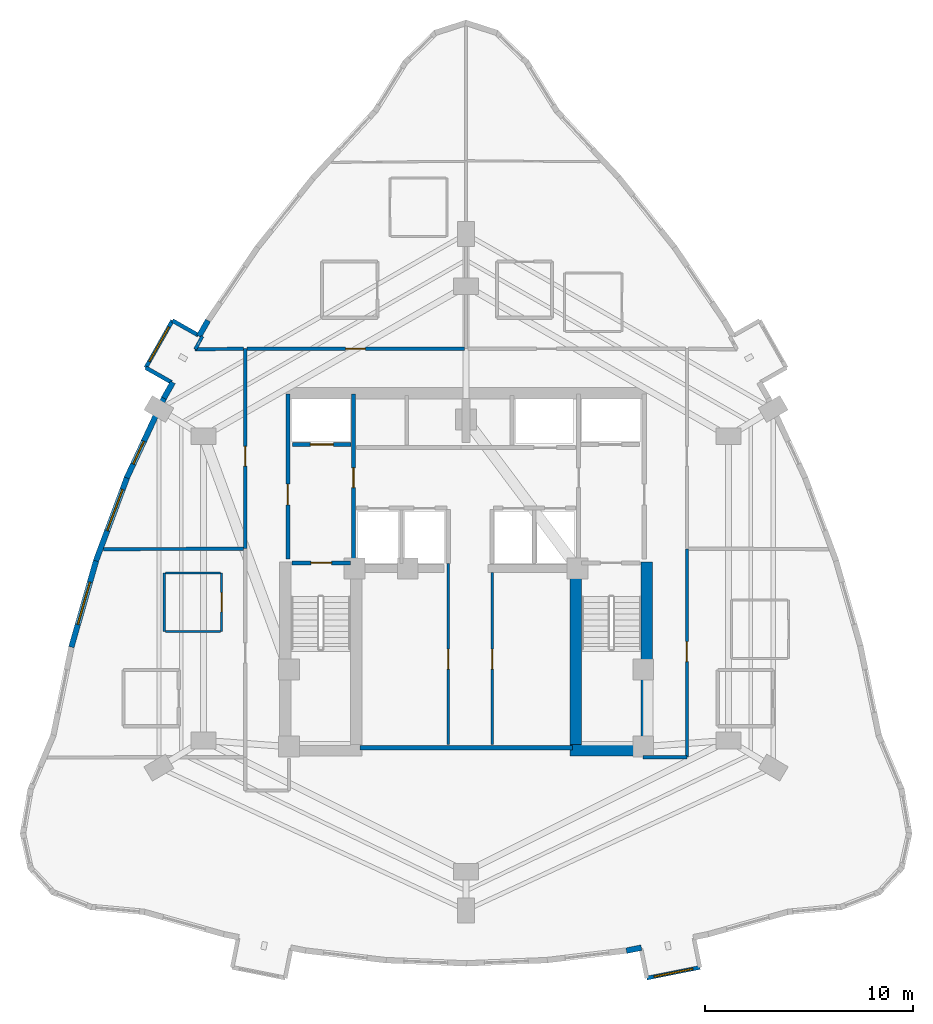
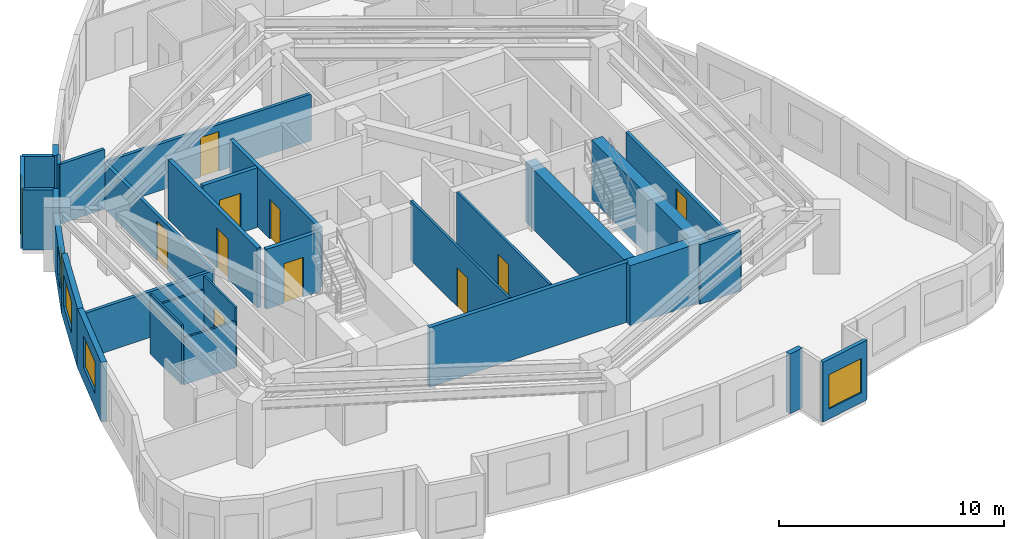
# One storey, part 6 of 10: 31 walls, 10 doors, 5 windows, 15 openings.
"""IFC4 building model written with IfcOpenShell, lengths in metres."""

from ifc_helpers import new_model, si_unit, direction, frame, frame_2d, origin, place, context, subcontext, project, spatial, rectangle, extrude, material, layer, layer_set, type_object, element, fill, save


model = new_model("IFC4")

# Units and contexts
model_context = context("Model", 3, precision=1e-05, world=origin(), true_north=direction((0.0, 1.0)))
body_context = subcontext(model_context, "Body", "Model", "MODEL_VIEW")
ifc_project = project(units=[si_unit("LENGTHUNIT", "METRE"), si_unit("AREAUNIT", "SQUARE_METRE"), si_unit("VOLUMEUNIT", "CUBIC_METRE"), si_unit("PLANEANGLEUNIT", "RADIAN"), si_unit("MASSUNIT", "GRAM", prefix="KILO")], contexts=[model_context])

# Site, building, storey
site_placement = place(None, origin())
site = spatial("IfcSite", under=ifc_project, at=site_placement, CompositionType="ELEMENT")
building_placement = place(site_placement, origin())
building = spatial("IfcBuilding", under=site, at=building_placement, Name="Miruveldt Soraemaru", CompositionType="ELEMENT")
storey_placement = place(building_placement, frame((0.0, 0.0, 163.39990234375)))
storey = spatial("IfcBuildingStorey", under=building, at=storey_placement, Name="L45", CompositionType="ELEMENT", Elevation=163.39990234375)

# Walls
ifc_material_1 = material(Name="White powder-coated aluminium EN AW-6060 T6", Category="aluminium")
ifc_layer_1 = layer(ifc_material_1, 0.18994140625, Name="White powder-coated aluminium EN AW-6060 T6", Category="aluminium")
ifc_layer_set_1 = layer_set([ifc_layer_1], Name="White powder-coated aluminium EN AW-6060 T6")
wall_type_1 = type_object("IfcWallType", Name="WALL-BAY-ALU190", PredefinedType="SOLIDWALL", material=ifc_layer_set_1)
for number, where, z_axis, x_axis, name in (
    (1, (31.150634765625, 55.244140625, 0.0), (0.0, 0.0, 1.0), (-0.869799191674, 0.493405883794, 0.0), "L45 Bay Window Side Cheek 1L"),
    (2, (28.62841796875, 53.685791015625, 0.0), (0.0, 0.0, 1.0), (0.869799191674, -0.493405883794, 0.0), "L45 Bay Window Side Cheek 1R"),
):
    element("IfcWall", number, at=place(storey_placement, frame(where, z_axis=z_axis, x_axis=x_axis)), inside=storey, type_object=wall_type_1, Name=name, PredefinedType="SOLIDWALL", context=body_context, shape_type="SweptSolid", body=[
        extrude(rectangle(XDim=1.425048828125, YDim=0.18994140625, at=frame_2d((0.71240234375, 0.0))), origin(), (0.0, 0.0, 1.0), 3.235107421875),
    ])

# Wall, opening, window
wall_1_placement = place(storey_placement, frame((29.9111328125, 55.947265625, 0.0), z_axis=(0.0, 0.0, 1.0), x_axis=(-0.493365555553, -0.869822067203, 0.0)))
wall_1 = element("IfcWall", 3, at=wall_1_placement, inside=storey, type_object=wall_type_1, Name="L45 Bay Window Front Frame 1", PredefinedType="SOLIDWALL", context=body_context, shape_type="SweptSolid", body=[
    extrude(rectangle(XDim=2.599853515625, YDim=0.18994140625, at=frame_2d((1.2998046875, 0.0))), origin(), (0.0, 0.0, 1.0), 3.235107421875),
])
opening_1_placement = place(wall_1_placement, frame((0.35009765625, 0.0, 0.550048828125)))
opening_1 = element("IfcOpeningElement", 4, at=opening_1_placement, cuts=wall_1, Name="Opening WN-6", PredefinedType="OPENING", context=body_context, shape_type="SweptSolid", body=[
    extrude(rectangle(XDim=1.89990234375, YDim=1.85009765625, at=frame_2d((0.949951171875, 0.925048828125))), frame((0.0, 0.10498046875, 0.0), z_axis=(0.0, -1.0, 0.0), x_axis=(1.0, 0.0, 0.0)), (0.0, 0.0, 1.0), 0.2099609375),
])
ifc_material_2 = material(Name="Triple low-e insulated glazing", Category="glass")
window_type_1 = type_object("IfcWindowType", Name="WIN-BAYW-1900x1850", PartitioningType="SINGLE_PANEL", PredefinedType="WINDOW", material=ifc_material_2)
window_1_placement = place(opening_1_placement, origin())
window_1 = element("IfcWindow", 5, at=window_1_placement, inside=storey, type_object=window_type_1, Name="L45 Projecting Bay Window 1", OverallHeight=1.85009765625, OverallWidth=1.89990234375, PartitioningType="SINGLE_PANEL", PredefinedType="WINDOW", context=body_context, shape_type="SweptSolid", body=[
    extrude(rectangle(XDim=1.89990234375, YDim=1.85009765625, at=frame_2d((0.949951171875, 0.925048828125))), frame((0.0, 0.030029296875, 0.0), z_axis=(0.0, -1.0, 0.0), x_axis=(1.0, 0.0, 0.0)), (0.0, 0.0, 1.0), 0.06005859375),
])
fill(opening_1, window_1)

wall_2_placement = place(storey_placement, frame((52.6748046875, 24.39599609375, 0.0), z_axis=(0.0, 0.0, 1.0), x_axis=(0.980569838849, 0.196170311564, 0.0)))
wall_2 = element("IfcWall", 6, at=wall_2_placement, inside=storey, type_object=wall_type_1, Name="L45 Bay Window Front Frame 3", PredefinedType="SOLIDWALL", context=body_context, shape_type="SweptSolid", body=[
    extrude(rectangle(XDim=2.599853515625, YDim=0.18994140625, at=frame_2d((1.2998046875, 0.0))), origin(), (0.0, 0.0, 1.0), 3.235107421875),
])
opening_2_placement = place(wall_2_placement, frame((0.35009765625, 0.0, 0.550048828125)))
opening_2 = element("IfcOpeningElement", 7, at=opening_2_placement, cuts=wall_2, Name="Opening WN-6", PredefinedType="OPENING", context=body_context, shape_type="SweptSolid", body=[
    extrude(rectangle(XDim=1.89990234375, YDim=1.85009765625, at=frame_2d((0.949951171875, 0.925048828125))), frame((0.0, 0.10498046875, 0.0), z_axis=(0.0, -1.0, 0.0), x_axis=(1.0, 0.0, 0.0)), (0.0, 0.0, 1.0), 0.2099609375),
])
window_2_placement = place(opening_2_placement, origin())
window_2 = element("IfcWindow", 8, at=window_2_placement, inside=storey, type_object=window_type_1, Name="L45 Projecting Bay Window 3", OverallHeight=1.85009765625, OverallWidth=1.89990234375, PartitioningType="SINGLE_PANEL", PredefinedType="WINDOW", context=body_context, shape_type="SweptSolid", body=[
    extrude(rectangle(XDim=1.89990234375, YDim=1.85009765625, at=frame_2d((0.949951171875, 0.925048828125))), frame((0.0, 0.030029296875, 0.0), z_axis=(0.0, -1.0, 0.0), x_axis=(1.0, 0.0, 0.0)), (0.0, 0.0, 1.0), 0.06005859375),
])
fill(opening_2, window_2)

# Walls
ifc_material_3 = material(Name="Concrete C70/85 (70 MPa)", Category="concrete")
ifc_layer_2 = layer(ifc_material_3, 0.550048828125, Name="Concrete C70/85 (70 MPa)", Category="concrete")
ifc_layer_set_2 = layer_set([ifc_layer_2], Name="Concrete C70/85 (70 MPa)")
wall_type_2 = type_object("IfcWallType", Name="WALL-CW-550", PredefinedType="SHEAR", material=ifc_layer_set_2)
wall_3_placement = place(storey_placement, frame((49.0, 35.324951171875, 0.0), z_axis=(0.0, 0.0, 1.0), x_axis=(1.0, 0.0, 0.0)))
element("IfcWall", 9, at=wall_3_placement, inside=storey, type_object=wall_type_2, Name="L45 Central Core Shear Wall S2", PredefinedType="SHEAR", context=body_context, shape_type="SweptSolid", body=[
    extrude(rectangle(XDim=3.949951171875, YDim=0.550048828125, at=frame_2d((1.97509765625, 0.0))), origin(), (0.0, 0.0, 1.0), 3.235107421875),
])
wall_4_placement = place(storey_placement, frame((52.675048828125, 35.050048828125, 0.0), z_axis=(0.0, 0.0, 1.0), x_axis=(0.0, 1.0, 0.0)))
element("IfcWall", 10, at=wall_4_placement, inside=storey, type_object=wall_type_2, Name="L45 Central Core Shear Wall E1", PredefinedType="SHEAR", context=body_context, shape_type="SweptSolid", body=[
    extrude(rectangle(XDim=9.300048828125, YDim=0.550048828125, at=frame_2d((4.64990234375, 0.0))), origin(), (0.0, 0.0, 1.0), 3.235107421875),
])
wall_5_placement = place(storey_placement, frame((49.27490234375, 35.39990234375, 0.0), z_axis=(0.0, 0.0, 1.0), x_axis=(0.0, 1.0, 0.0)))
element("IfcWall", 11, at=wall_5_placement, inside=storey, type_object=wall_type_2, Name="L45 Central Core Shear Wall SE-INT", PredefinedType="SHEAR", context=body_context, shape_type="SweptSolid", body=[
    extrude(rectangle(XDim=8.9501953125, YDim=0.550048828125, at=frame_2d((4.47509765625, 0.0))), origin(), (0.0, 0.0, 1.0), 3.235107421875),
])
ifc_material_4 = material(Name="Precast concrete C45/55 (45 MPa)", Category="concrete")
ifc_layer_3 = layer(ifc_material_4, 0.27001953125, Name="Precast concrete C45/55 (45 MPa)", Category="concrete")
ifc_layer_set_3 = layer_set([ifc_layer_3], Name="Precast concrete C45/55 (45 MPa)")
wall_type_3 = type_object("IfcWallType", Name="WALL-EXT-PC270", PredefinedType="SOLIDWALL", material=ifc_layer_set_3)
for number, where, z_axis, x_axis, name in (
    (12, (31.615234375, 55.951904296875, 0.0), (0.0, 0.0, 1.0), (-0.493371618473, -0.86981862827, 0.0), "L45 Precast Pier Wall 10A"),
    (13, (29.930419921875, 52.981689453125, 0.0), (0.0, 0.0, 1.0), (-0.493371618473, -0.86981862827, 0.0), "L45 Precast Pier Wall 10B"),
):
    element("IfcWall", number, at=place(storey_placement, frame(where, z_axis=z_axis, x_axis=x_axis)), inside=storey, type_object=wall_type_3, Name=name, PredefinedType="SOLIDWALL", context=body_context, shape_type="SweptSolid", body=[
        extrude(rectangle(XDim=0.875, YDim=0.27001953125, at=frame_2d((0.4375, 0.0))), origin(), (0.0, 0.0, 1.0), 3.235107421875),
    ])

# Wall, opening, window
wall_6_placement = place(storey_placement, frame((29.531005859375, 52.282958984375, 0.0), z_axis=(0.0, 0.0, 1.0), x_axis=(-0.422296510574, -0.906457752549, 0.0)))
wall_6 = element("IfcWall", 14, at=wall_6_placement, inside=storey, type_object=wall_type_3, Name="L45 Precast Concrete Facade Wall 11", PredefinedType="SOLIDWALL", context=body_context, shape_type="SweptSolid", body=[
    extrude(rectangle(XDim=4.289794921875, YDim=0.27001953125, at=frame_2d((2.14501953125, 0.0))), origin(), (0.0, 0.0, 1.0), 2.523193359375),
])
opening_3_placement = place(wall_6_placement, frame((2.34912109375, 0.0, 0.780029296875)))
opening_3 = element("IfcOpeningElement", 15, at=opening_3_placement, cuts=wall_6, Name="Opening WN-4", PredefinedType="OPENING", context=body_context, shape_type="SweptSolid", body=[
    extrude(rectangle(XDim=1.199951171875, YDim=1.550048828125, at=frame_2d((0.60009765625, 0.77490234375))), frame((0.0, 0.14501953125, 0.0), z_axis=(0.0, -1.0, 0.0), x_axis=(1.0, 0.0, 0.0)), (0.0, 0.0, 1.0), 0.2900390625),
])
window_type_2 = type_object("IfcWindowType", Name="WIN-PUNCH-1200x1550", PartitioningType="SINGLE_PANEL", PredefinedType="WINDOW", material=ifc_material_2)
window_3_placement = place(opening_3_placement, origin())
window_3 = element("IfcWindow", 16, at=window_3_placement, inside=storey, type_object=window_type_2, Name="L45 Punched Triple-Glazed Window 11.1", OverallHeight=1.550048828125, OverallWidth=1.199951171875, PartitioningType="SINGLE_PANEL", PredefinedType="WINDOW", context=body_context, shape_type="SweptSolid", body=[
    extrude(rectangle(XDim=1.199951171875, YDim=1.550048828125, at=frame_2d((0.60009765625, 0.77490234375))), frame((0.0, 0.030029296875, 0.0), z_axis=(0.0, -1.0, 0.0), x_axis=(1.0, 0.0, 0.0)), (0.0, 0.0, 1.0), 0.06005859375),
])
fill(opening_3, window_3)

wall_7_placement = place(storey_placement, frame((27.74658203125, 48.458984375, 0.0), z_axis=(0.0, 0.0, 1.0), x_axis=(-0.349039876874, -0.937107872313, 0.0)))
wall_7 = element("IfcWall", 17, at=wall_7_placement, inside=storey, type_object=wall_type_3, Name="L45 Precast Concrete Facade Wall 12", PredefinedType="SOLIDWALL", context=body_context, shape_type="SweptSolid", body=[
    extrude(rectangle(XDim=4.31640625, YDim=0.27001953125, at=frame_2d((2.158203125, 0.0))), origin(), (0.0, 0.0, 1.0), 3.235107421875),
])
opening_4_placement = place(wall_7_placement, frame((0.660888671875, 0.0, 0.800048828125)))
opening_4 = element("IfcOpeningElement", 18, at=opening_4_placement, cuts=wall_7, Name="Opening WN-1", PredefinedType="OPENING", context=body_context, shape_type="SweptSolid", body=[
    extrude(rectangle(XDim=2.10009765625, YDim=1.699951171875, at=frame_2d((1.050048828125, 0.85009765625))), frame((0.0, 0.14501953125, 0.0), z_axis=(0.0, -1.0, 0.0), x_axis=(1.0, 0.0, 0.0)), (0.0, 0.0, 1.0), 0.2900390625),
])
window_type_3 = type_object("IfcWindowType", Name="WIN-PUNCH-2100x1700", PartitioningType="SINGLE_PANEL", PredefinedType="WINDOW", material=ifc_material_2)
window_4_placement = place(opening_4_placement, origin())
window_4 = element("IfcWindow", 19, at=window_4_placement, inside=storey, type_object=window_type_3, Name="L45 Punched Triple-Glazed Window 12.1", OverallHeight=1.699951171875, OverallWidth=2.10009765625, PartitioningType="SINGLE_PANEL", PredefinedType="WINDOW", context=body_context, shape_type="SweptSolid", body=[
    extrude(rectangle(XDim=2.10009765625, YDim=1.699951171875, at=frame_2d((1.050048828125, 0.85009765625))), frame((0.0, 0.030029296875, 0.0), z_axis=(0.0, -1.0, 0.0), x_axis=(1.0, 0.0, 0.0)), (0.0, 0.0, 1.0), 0.06005859375),
])
fill(opening_4, window_4)

wall_8_placement = place(storey_placement, frame((26.26171875, 44.480712890625, 0.0), z_axis=(0.0, 0.0, 1.0), x_axis=(-0.274935112835, -0.961462783331, 0.0)))
wall_8 = element("IfcWall", 20, at=wall_8_placement, inside=storey, type_object=wall_type_3, Name="L45 Precast Concrete Facade Wall 13", PredefinedType="SOLIDWALL", context=body_context, shape_type="SweptSolid", body=[
    extrude(rectangle(XDim=4.369873046875, YDim=0.27001953125, at=frame_2d((2.18505859375, 0.0))), origin(), (0.0, 0.0, 1.0), 3.235107421875),
])
opening_5_placement = place(wall_8_placement, frame((1.135009765625, 0.0, 0.800048828125)))
opening_5 = element("IfcOpeningElement", 21, at=opening_5_placement, cuts=wall_8, Name="Opening WN-1", PredefinedType="OPENING", context=body_context, shape_type="SweptSolid", body=[
    extrude(rectangle(XDim=2.10009765625, YDim=1.699951171875, at=frame_2d((1.050048828125, 0.85009765625))), frame((0.0, 0.14501953125, 0.0), z_axis=(0.0, -1.0, 0.0), x_axis=(1.0, 0.0, 0.0)), (0.0, 0.0, 1.0), 0.2900390625),
])
window_5_placement = place(opening_5_placement, origin())
window_5 = element("IfcWindow", 22, at=window_5_placement, inside=storey, type_object=window_type_3, Name="L45 Punched Triple-Glazed Window 13.1", OverallHeight=1.699951171875, OverallWidth=2.10009765625, PartitioningType="SINGLE_PANEL", PredefinedType="WINDOW", context=body_context, shape_type="SweptSolid", body=[
    extrude(rectangle(XDim=2.10009765625, YDim=1.699951171875, at=frame_2d((1.050048828125, 0.85009765625))), frame((0.0, 0.030029296875, 0.0), z_axis=(0.0, -1.0, 0.0), x_axis=(1.0, 0.0, 0.0)), (0.0, 0.0, 1.0), 0.06005859375),
])
fill(opening_5, window_5)

# Wall
wall_9_placement = place(storey_placement, frame((51.693115234375, 25.708984375, 0.0), z_axis=(0.0, 0.0, 1.0), x_axis=(0.980542330577, 0.196307763337, 0.0)))
element("IfcWall", 23, at=wall_9_placement, inside=storey, type_object=wall_type_3, Name="L45 Precast Pier Wall 27A", PredefinedType="SOLIDWALL", context=body_context, shape_type="SweptSolid", body=[
    extrude(rectangle(XDim=0.735107421875, YDim=0.27001953125, at=frame_2d((0.36767578125, 0.0))), origin(), (0.0, 0.0, 1.0), 3.235107421875),
])

# Wall, opening, door
ifc_material_5 = material(Name="Gypsum plasterboard lining", Category="gypsum")
ifc_layer_4 = layer(ifc_material_5, 0.10009765625, Name="Gypsum plasterboard lining", Category="gypsum")
ifc_layer_set_4 = layer_set([ifc_layer_4], Name="Gypsum plasterboard lining")
wall_type_4 = type_object("IfcWallType", Name="WALL-INT-P100", PredefinedType="PARTITIONING", material=ifc_layer_set_4)
wall_10_placement = place(storey_placement, frame((32.26611328125, 41.030029296875, 0.0), z_axis=(0.0, 0.0, 1.0), x_axis=(0.0, 1.0, 0.0)))
wall_10 = element("IfcWall", 24, at=wall_10_placement, inside=storey, type_object=wall_type_4, Name="L45 Partition Wall 38", PredefinedType="PARTITIONING", context=body_context, shape_type="SweptSolid", body=[
    extrude(rectangle(XDim=2.800048828125, YDim=0.10009765625, at=frame_2d((1.39990234375, 0.0))), origin(), (0.0, 0.0, 1.0), 3.235107421875),
])
opening_6_placement = place(wall_10_placement, frame((0.93994140625, 0.0, 0.0)))
opening_6 = element("IfcOpeningElement", 25, at=opening_6_placement, cuts=wall_10, Name="Opening D3A", PredefinedType="OPENING", context=body_context, shape_type="SweptSolid", body=[
    extrude(rectangle(XDim=0.919921875, YDim=2.10009765625, at=frame_2d((0.4599609375, 1.050048828125))), frame((0.0, 0.06005859375, 0.0), z_axis=(0.0, -1.0, 0.0), x_axis=(1.0, 0.0, 0.0)), (0.0, 0.0, 1.0), 0.1201171875),
])
ifc_material_6 = material(Name="Anodised aluminium EN AW-6063 T6", Category="aluminium")
door_type_1 = type_object("IfcDoorType", Name="DOOR-INT-920", OperationType="NOTDEFINED", PredefinedType="DOOR", material=ifc_material_6)
door_1_placement = place(opening_6_placement, origin())
door_1 = element("IfcDoor", 26, at=door_1_placement, inside=storey, type_object=door_type_1, Name="L45 Unit 4504 KIT Door", OperationType="SINGLE_SWING_LEFT", OverallHeight=2.10009765625, OverallWidth=0.919921875, PredefinedType="DOOR", context=body_context, shape_type="SweptSolid", body=[
    extrude(rectangle(XDim=0.919921875, YDim=2.10009765625, at=frame_2d((0.4599609375, 1.050048828125))), frame((0.0, 0.02490234375, 0.0), z_axis=(0.0, -1.0, 0.0), x_axis=(1.0, 0.0, 0.0)), (0.0, 0.0, 1.0), 0.050048828125),
])
fill(opening_6, door_1)

# Walls
wall_11_placement = place(storey_placement, frame((29.51611328125, 43.830078125, 0.0), z_axis=(0.0, 0.0, 1.0), x_axis=(0.0, -1.0, 0.0)))
element("IfcWall", 27, at=wall_11_placement, inside=storey, type_object=wall_type_4, Name="L45 Partition Wall 40", PredefinedType="PARTITIONING", context=body_context, shape_type="SweptSolid", body=[
    extrude(rectangle(XDim=2.800048828125, YDim=0.10009765625, at=frame_2d((1.39990234375, 0.0))), origin(), (0.0, 0.0, 1.0), 3.235107421875),
])
for number, where, z_axis, x_axis, name in (
    (28, (32.216064453125, 43.830078125, 0.0), (0.0, 0.0, 1.0), (-1.0, 0.0, 0.0), "L45 Partition Wall 39"),
    (29, (29.56591796875, 41.030029296875, 0.0), (0.0, 0.0, 1.0), (1.0, 0.0, 0.0), "L45 Partition Wall 41"),
):
    element("IfcWall", number, at=place(storey_placement, frame(where, z_axis=z_axis, x_axis=x_axis)), inside=storey, type_object=wall_type_4, Name=name, PredefinedType="PARTITIONING", context=body_context, shape_type="SweptSolid", body=[
        extrude(rectangle(XDim=2.650146484375, YDim=0.10009765625, at=frame_2d((1.3251953125, 0.0))), origin(), (0.0, 0.0, 1.0), 2.523193359375),
    ])

# Wall, opening, door
ifc_layer_5 = layer(ifc_material_5, 0.1201171875, Name="Gypsum plasterboard lining", Category="gypsum")
ifc_layer_set_5 = layer_set([ifc_layer_5], Name="Gypsum plasterboard lining")
wall_type_5 = type_object("IfcWallType", Name="WALL-INT-P120", PredefinedType="PARTITIONING", material=ifc_layer_set_5)
wall_12_placement = place(storey_placement, frame((43.14990234375, 35.60009765625, 0.0), z_axis=(0.0, 0.0, 1.0), x_axis=(0.0, 1.0, 0.0)))
wall_12 = element("IfcWall", 30, at=wall_12_placement, inside=storey, type_object=wall_type_5, Name="L45 Core Compartment Wall SP-WL", PredefinedType="PARTITIONING", context=body_context, shape_type="SweptSolid", body=[
    extrude(rectangle(XDim=8.699951171875, YDim=0.1201171875, at=frame_2d((4.35009765625, 0.0))), origin(), (0.0, 0.0, 1.0), 3.235107421875),
])
opening_7_placement = place(wall_12_placement, frame((3.625, 0.0, 0.0)))
opening_7 = element("IfcOpeningElement", 31, at=opening_7_placement, cuts=wall_12, Name="Opening D2", PredefinedType="OPENING", context=body_context, shape_type="SweptSolid", body=[
    extrude(rectangle(XDim=0.949951171875, YDim=2.10009765625, at=frame_2d((0.47509765625, 1.050048828125))), frame((0.0, 0.070068359375, 0.0), z_axis=(0.0, -1.0, 0.0), x_axis=(1.0, 0.0, 0.0)), (0.0, 0.0, 1.0), 0.14013671875),
])
door_type_2 = type_object("IfcDoorType", Name="DOOR-INT-950", OperationType="NOTDEFINED", PredefinedType="DOOR", material=ifc_material_6)
door_2_placement = place(opening_7_placement, origin())
door_2 = element("IfcDoor", 32, at=door_2_placement, inside=storey, type_object=door_type_2, Name="L45 Fire Door", OperationType="SINGLE_SWING_LEFT", OverallHeight=2.10009765625, OverallWidth=0.949951171875, PredefinedType="DOOR", context=body_context, shape_type="SweptSolid", body=[
    extrude(rectangle(XDim=0.949951171875, YDim=2.10009765625, at=frame_2d((0.47509765625, 1.050048828125))), frame((0.0, 0.02490234375, 0.0), z_axis=(0.0, -1.0, 0.0), x_axis=(1.0, 0.0, 0.0)), (0.0, 0.0, 1.0), 0.050048828125),
])
fill(opening_7, door_2)

wall_13_placement = place(storey_placement, frame((45.25, 35.60009765625, 0.0), z_axis=(0.0, 0.0, 1.0), x_axis=(0.0, 1.0, 0.0)))
wall_13 = element("IfcWall", 33, at=wall_13_placement, inside=storey, type_object=wall_type_5, Name="L45 Core Compartment Wall SP-EL", PredefinedType="PARTITIONING", context=body_context, shape_type="SweptSolid", body=[
    extrude(rectangle(XDim=8.25, YDim=0.1201171875, at=frame_2d((4.125, 0.0))), origin(), (0.0, 0.0, 1.0), 3.235107421875),
])
opening_8_placement = place(wall_13_placement, frame((3.625, 0.0, 0.0)))
opening_8 = element("IfcOpeningElement", 34, at=opening_8_placement, cuts=wall_13, Name="Opening D2", PredefinedType="OPENING", context=body_context, shape_type="SweptSolid", body=[
    extrude(rectangle(XDim=0.949951171875, YDim=2.10009765625, at=frame_2d((0.47509765625, 1.050048828125))), frame((0.0, 0.070068359375, 0.0), z_axis=(0.0, -1.0, 0.0), x_axis=(1.0, 0.0, 0.0)), (0.0, 0.0, 1.0), 0.14013671875),
])
door_3_placement = place(opening_8_placement, origin())
door_3 = element("IfcDoor", 35, at=door_3_placement, inside=storey, type_object=door_type_2, Name="L45 Fire Door", OperationType="SINGLE_SWING_LEFT", OverallHeight=2.10009765625, OverallWidth=0.949951171875, PredefinedType="DOOR", context=body_context, shape_type="SweptSolid", body=[
    extrude(rectangle(XDim=0.949951171875, YDim=2.10009765625, at=frame_2d((0.47509765625, 1.050048828125))), frame((0.0, 0.02490234375, 0.0), z_axis=(0.0, -1.0, 0.0), x_axis=(1.0, 0.0, 0.0)), (0.0, 0.0, 1.0), 0.050048828125),
])
fill(opening_8, door_3)

ifc_material_7 = material(Name="Concrete C40/50 (40 MPa)", Category="concrete")
ifc_layer_6 = layer(ifc_material_7, 0.159912109375, Name="Concrete C40/50 (40 MPa)", Category="concrete")
ifc_layer_set_6 = layer_set([ifc_layer_6], Name="Concrete C40/50 (40 MPa)")
wall_type_6 = type_object("IfcWallType", Name="WALL-INT-RC160", PredefinedType="SOLIDWALL", material=ifc_layer_set_6)
wall_14_placement = place(storey_placement, frame((43.9169921875, 54.60009765625, 0.0), z_axis=(0.0, 0.0, 1.0), x_axis=(-1.0, 0.0, 0.0)))
wall_14 = element("IfcWall", 36, at=wall_14_placement, inside=storey, type_object=wall_type_6, Name="L45 Partition Wall 1", PredefinedType="SOLIDWALL", context=body_context, shape_type="SweptSolid", body=[
    extrude(rectangle(XDim=10.43701171875, YDim=0.159912109375, at=frame_2d((5.218505859375, 0.0))), origin(), (0.0, 0.0, 1.0), 2.523193359375),
])
opening_9_placement = place(wall_14_placement, frame((4.743896484375, 0.0, 0.0)))
opening_9 = element("IfcOpeningElement", 37, at=opening_9_placement, cuts=wall_14, Name="Opening FD2", PredefinedType="OPENING", context=body_context, shape_type="SweptSolid", body=[
    extrude(rectangle(XDim=0.949951171875, YDim=2.14990234375, at=frame_2d((0.47509765625, 1.074951171875))), frame((0.0, 0.08984375, 0.0), z_axis=(0.0, -1.0, 0.0), x_axis=(1.0, 0.0, 0.0)), (0.0, 0.0, 1.0), 0.179931640625),
])
door_type_3 = type_object("IfcDoorType", Name="DOOR-FD2-950", OperationType="NOTDEFINED", PredefinedType="DOOR", material=ifc_material_6)
door_4_placement = place(opening_9_placement, origin())
door_4 = element("IfcDoor", 38, at=door_4_placement, inside=storey, type_object=door_type_3, Name="L45 Unit 4501 Entrance Fire Door", OperationType="SINGLE_SWING_RIGHT", OverallHeight=2.14990234375, OverallWidth=0.949951171875, PredefinedType="DOOR", context=body_context, shape_type="SweptSolid", body=[
    extrude(rectangle(XDim=0.949951171875, YDim=2.14990234375, at=frame_2d((0.47509765625, 1.074951171875))), frame((0.0, 0.02490234375, 0.0), z_axis=(0.0, -1.0, 0.0), x_axis=(1.0, 0.0, 0.0)), (0.0, 0.0, 1.0), 0.050048828125),
])
fill(opening_9, door_4)

wall_15_placement = place(storey_placement, frame((54.60009765625, 35.0, 0.0), z_axis=(0.0, 0.0, 1.0), x_axis=(0.0, 1.0, 0.0)))
wall_15 = element("IfcWall", 39, at=wall_15_placement, inside=storey, type_object=wall_type_6, Name="L45 Partition Wall 10", PredefinedType="SOLIDWALL", context=body_context, shape_type="SweptSolid", body=[
    extrude(rectangle(XDim=9.992919921875, YDim=0.159912109375, at=frame_2d((4.99658203125, 0.0))), origin(), (0.0, 0.0, 1.0), 2.523193359375),
])
opening_10_placement = place(wall_15_placement, frame((4.5849609375, 0.0, 0.0)))
opening_10 = element("IfcOpeningElement", 40, at=opening_10_placement, cuts=wall_15, Name="Opening FD2", PredefinedType="OPENING", context=body_context, shape_type="SweptSolid", body=[
    extrude(rectangle(XDim=0.949951171875, YDim=2.14990234375, at=frame_2d((0.47509765625, 1.074951171875))), frame((0.0, 0.08984375, 0.0), z_axis=(0.0, -1.0, 0.0), x_axis=(1.0, 0.0, 0.0)), (0.0, 0.0, 1.0), 0.179931640625),
])
door_5_placement = place(opening_10_placement, origin())
door_5 = element("IfcDoor", 41, at=door_5_placement, inside=storey, type_object=door_type_3, Name="L45 Unit 4506 Entrance Fire Door", OperationType="SINGLE_SWING_LEFT", OverallHeight=2.14990234375, OverallWidth=0.949951171875, PredefinedType="DOOR", context=body_context, shape_type="SweptSolid", body=[
    extrude(rectangle(XDim=0.949951171875, YDim=2.14990234375, at=frame_2d((0.47509765625, 1.074951171875))), frame((0.0, 0.02490234375, 0.0), z_axis=(0.0, -1.0, 0.0), x_axis=(1.0, 0.0, 0.0)), (0.0, 0.0, 1.0), 0.050048828125),
])
fill(opening_10, door_5)

wall_16_placement = place(storey_placement, frame((33.39990234375, 54.60009765625, 0.0), z_axis=(0.0, 0.0, 1.0), x_axis=(0.0, -1.0, 0.0)))
wall_16 = element("IfcWall", 42, at=wall_16_placement, inside=storey, type_object=wall_type_6, Name="L45 Partition Wall 3", PredefinedType="SOLIDWALL", context=body_context, shape_type="SweptSolid", body=[
    extrude(rectangle(XDim=9.60009765625, YDim=0.159912109375, at=frame_2d((4.800048828125, 0.0))), origin(), (0.0, 0.0, 1.0), 2.47314453125),
])
opening_11_placement = place(wall_16_placement, frame((4.68505859375, 0.0, 0.0)))
opening_11 = element("IfcOpeningElement", 43, at=opening_11_placement, cuts=wall_16, Name="Opening FD2", PredefinedType="OPENING", context=body_context, shape_type="SweptSolid", body=[
    extrude(rectangle(XDim=0.949951171875, YDim=2.14990234375, at=frame_2d((0.47509765625, 1.074951171875))), frame((0.0, 0.08984375, 0.0), z_axis=(0.0, -1.0, 0.0), x_axis=(1.0, 0.0, 0.0)), (0.0, 0.0, 1.0), 0.179931640625),
])
door_6_placement = place(opening_11_placement, origin())
door_6 = element("IfcDoor", 44, at=door_6_placement, inside=storey, type_object=door_type_3, Name="L45 Unit CL03 Entrance Fire Door", OperationType="SINGLE_SWING_RIGHT", OverallHeight=2.14990234375, OverallWidth=0.949951171875, PredefinedType="DOOR", context=body_context, shape_type="SweptSolid", body=[
    extrude(rectangle(XDim=0.949951171875, YDim=2.14990234375, at=frame_2d((0.47509765625, 1.074951171875))), frame((0.0, 0.02490234375, 0.0), z_axis=(0.0, -1.0, 0.0), x_axis=(1.0, 0.0, 0.0)), (0.0, 0.0, 1.0), 0.050048828125),
])
fill(opening_11, door_6)

# Walls
wall_17_placement = place(storey_placement, frame((26.60888671875, 44.97509765625, 0.0), z_axis=(0.0, 0.0, 1.0), x_axis=(0.999993115887, 0.003710549595, 0.0)))
element("IfcWall", 45, at=wall_17_placement, inside=storey, type_object=wall_type_6, Name="L45 Partition Wall 33", PredefinedType="SOLIDWALL", context=body_context, shape_type="SweptSolid", body=[
    extrude(rectangle(XDim=6.711181640625, YDim=0.159912109375, at=frame_2d((3.35546875, 0.0))), origin(), (0.0, 0.0, 1.0), 2.47314453125),
])
wall_18_placement = place(storey_placement, frame((31.0009765625, 54.56494140625, 0.0), z_axis=(0.0, 0.0, 1.0), x_axis=(0.999891407569, 0.014736793037, 0.0)))
element("IfcWall", 46, at=wall_18_placement, inside=storey, type_object=wall_type_6, Name="L45 Partition Wall 21", PredefinedType="SOLIDWALL", context=body_context, shape_type="SweptSolid", body=[
    extrude(rectangle(XDim=2.3193359375, YDim=0.159912109375, at=frame_2d((1.15966796875, 0.0))), origin(), (0.0, 0.0, 1.0), 3.235107421875),
])
wall_19_placement = place(storey_placement, frame((52.49609375, 35.0, 0.0), z_axis=(0.0, 0.0, 1.0), x_axis=(1.0, 0.0, 0.0)))
element("IfcWall", 47, at=wall_19_placement, inside=storey, type_object=wall_type_6, Name="L45 Partition Wall 9", PredefinedType="SOLIDWALL", context=body_context, shape_type="SweptSolid", body=[
    extrude(rectangle(XDim=2.10400390625, YDim=0.159912109375, at=frame_2d((1.052001953125, 0.0))), origin(), (0.0, 0.0, 1.0), 3.235107421875),
])
wall_20_placement = place(storey_placement, frame((31.0009765625, 54.56494140625, 0.0), z_axis=(0.0, 0.0, 1.0), x_axis=(0.485062759836, 0.874479341677, 0.0)))
element("IfcWall", 48, at=wall_20_placement, inside=storey, type_object=wall_type_6, Name="L45 Partition Closure Return 1", PredefinedType="SOLIDWALL", context=body_context, shape_type="SweptSolid", body=[
    extrude(rectangle(XDim=0.714599609375, YDim=0.159912109375, at=frame_2d((0.357421875, 0.0))), origin(), (0.0, 0.0, 1.0), 3.235107421875),
])

# Wall, opening, door
ifc_layer_7 = layer(ifc_material_7, 0.199951171875, Name="Concrete C40/50 (40 MPa)", Category="concrete")
ifc_layer_set_7 = layer_set([ifc_layer_7], Name="Concrete C40/50 (40 MPa)")
wall_type_7 = type_object("IfcWallType", Name="WALL-INT-RC200", PredefinedType="SOLIDWALL", material=ifc_layer_set_7)
wall_21_placement = place(storey_placement, frame((35.449951171875, 44.5, 0.0), z_axis=(0.0, 0.0, 1.0), x_axis=(0.0, 1.0, 0.0)))
wall_21 = element("IfcWall", 49, at=wall_21_placement, inside=storey, type_object=wall_type_7, Name="L45 Core Compartment Wall FFW-OUT", PredefinedType="SOLIDWALL", context=body_context, shape_type="SweptSolid", body=[
    extrude(rectangle(XDim=7.919921875, YDim=0.199951171875, at=frame_2d((3.9599609375, 0.0))), origin(), (0.0, 0.0, 1.0), 3.235107421875),
])
opening_12_placement = place(wall_21_placement, frame((2.60009765625, 0.0, 0.0)))
opening_12 = element("IfcOpeningElement", 50, at=opening_12_placement, cuts=wall_21, Name="Opening FD1", PredefinedType="OPENING", context=body_context, shape_type="SweptSolid", body=[
    extrude(rectangle(XDim=1.0, YDim=2.14990234375, at=frame_2d((0.5, 1.074951171875))), frame((0.0, 0.10986328125, 0.0), z_axis=(0.0, -1.0, 0.0), x_axis=(1.0, 0.0, 0.0)), (0.0, 0.0, 1.0), 0.219970703125),
])
door_type_4 = type_object("IfcDoorType", Name="DOOR-FD1-1000", OperationType="NOTDEFINED", PredefinedType="DOOR", material=ifc_material_6)
door_7_placement = place(opening_12_placement, origin())
door_7 = element("IfcDoor", 51, at=door_7_placement, inside=storey, type_object=door_type_4, Name="L45 West Firefighting Lobby Exit Door", OperationType="SINGLE_SWING_LEFT", OverallHeight=2.14990234375, OverallWidth=1.0, PredefinedType="DOOR", context=body_context, shape_type="SweptSolid", body=[
    extrude(rectangle(XDim=1.0, YDim=2.14990234375, at=frame_2d((0.5, 1.074951171875))), frame((0.0, 0.02490234375, 0.0), z_axis=(0.0, -1.0, 0.0), x_axis=(1.0, 0.0, 0.0)), (0.0, 0.0, 1.0), 0.050048828125),
])
fill(opening_12, door_7)

wall_22_placement = place(storey_placement, frame((38.60009765625, 44.5, 0.0), z_axis=(0.0, 0.0, 1.0), x_axis=(0.0, 1.0, 0.0)))
wall_22 = element("IfcWall", 52, at=wall_22_placement, inside=storey, type_object=wall_type_7, Name="L45 Core Compartment Wall FFW-IN", PredefinedType="SOLIDWALL", context=body_context, shape_type="SweptSolid", body=[
    extrude(rectangle(XDim=7.919921875, YDim=0.199951171875, at=frame_2d((3.9599609375, 0.0))), origin(), (0.0, 0.0, 1.0), 3.235107421875),
])
opening_13_placement = place(wall_22_placement, frame((3.425048828125, 0.0, 0.0)))
opening_13 = element("IfcOpeningElement", 53, at=opening_13_placement, cuts=wall_22, Name="Opening FD2", PredefinedType="OPENING", context=body_context, shape_type="SweptSolid", body=[
    extrude(rectangle(XDim=0.949951171875, YDim=2.14990234375, at=frame_2d((0.47509765625, 1.074951171875))), frame((0.0, 0.10986328125, 0.0), z_axis=(0.0, -1.0, 0.0), x_axis=(1.0, 0.0, 0.0)), (0.0, 0.0, 1.0), 0.219970703125),
])
door_8_placement = place(opening_13_placement, frame((0.949951171875, 0.0, 0.0), z_axis=(0.0, 0.0, 1.0), x_axis=(-1.0, 0.0, 0.0)))
door_8 = element("IfcDoor", 54, at=door_8_placement, inside=storey, type_object=door_type_3, Name="L45 Lift Lobby to West Fire Lobby Door", OperationType="SINGLE_SWING_RIGHT", OverallHeight=2.14990234375, OverallWidth=0.949951171875, PredefinedType="DOOR", context=body_context, shape_type="SweptSolid", body=[
    extrude(rectangle(XDim=0.949951171875, YDim=2.14990234375, at=frame_2d((0.47509765625, 1.074951171875))), frame((0.0, 0.02490234375, 0.0), z_axis=(0.0, -1.0, 0.0), x_axis=(1.0, 0.0, 0.0)), (0.0, 0.0, 1.0), 0.050048828125),
])
fill(opening_13, door_8)

wall_23_placement = place(storey_placement, frame((35.64990234375, 44.320068359375, 0.0), z_axis=(0.0, 0.0, 1.0), x_axis=(1.0, 0.0, 0.0)))
wall_23 = element("IfcWall", 55, at=wall_23_placement, inside=storey, type_object=wall_type_7, Name="L45 Core Compartment Wall ST1-N", PredefinedType="SOLIDWALL", context=body_context, shape_type="SweptSolid", body=[
    extrude(rectangle(XDim=2.800048828125, YDim=0.199951171875, at=frame_2d((1.39990234375, 0.0))), origin(), (0.0, 0.0, 1.0), 3.235107421875),
])
opening_14_placement = place(wall_23_placement, frame((0.89990234375, 0.0, 0.0)))
opening_14 = element("IfcOpeningElement", 56, at=opening_14_placement, cuts=wall_23, Name="Opening FD1", PredefinedType="OPENING", context=body_context, shape_type="SweptSolid", body=[
    extrude(rectangle(XDim=1.0, YDim=2.14990234375, at=frame_2d((0.5, 1.074951171875))), frame((0.0, 0.10986328125, 0.0), z_axis=(0.0, -1.0, 0.0), x_axis=(1.0, 0.0, 0.0)), (0.0, 0.0, 1.0), 0.219970703125),
])
door_9_placement = place(opening_14_placement, frame((1.0, 0.0, 0.0), z_axis=(0.0, 0.0, 1.0), x_axis=(-1.0, 0.0, 0.0)))
door_9 = element("IfcDoor", 57, at=door_9_placement, inside=storey, type_object=door_type_4, Name="L45 Stair ST-1 Fire Door", OperationType="SINGLE_SWING_LEFT", OverallHeight=2.14990234375, OverallWidth=1.0, PredefinedType="DOOR", context=body_context, shape_type="SweptSolid", body=[
    extrude(rectangle(XDim=1.0, YDim=2.14990234375, at=frame_2d((0.5, 1.074951171875))), frame((0.0, 0.02490234375, 0.0), z_axis=(0.0, -1.0, 0.0), x_axis=(1.0, 0.0, 0.0)), (0.0, 0.0, 1.0), 0.050048828125),
])
fill(opening_14, door_9)

wall_24_placement = place(storey_placement, frame((35.679931640625, 50.0, 0.0), z_axis=(0.0, 0.0, 1.0), x_axis=(1.0, 0.0, 0.0)))
wall_24 = element("IfcWall", 58, at=wall_24_placement, inside=storey, type_object=wall_type_7, Name="L45 Core Compartment Wall FFL1-S", PredefinedType="SOLIDWALL", context=body_context, shape_type="SweptSolid", body=[
    extrude(rectangle(XDim=2.800048828125, YDim=0.199951171875, at=frame_2d((1.39990234375, 0.0))), origin(), (0.0, 0.0, 1.0), 3.235107421875),
])
opening_15_placement = place(wall_24_placement, frame((0.85009765625, 0.0, 0.0)))
opening_15 = element("IfcOpeningElement", 59, at=opening_15_placement, cuts=wall_24, Name="Opening LD2", PredefinedType="OPENING", context=body_context, shape_type="SweptSolid", body=[
    extrude(rectangle(XDim=1.10009765625, YDim=2.14990234375, at=frame_2d((0.550048828125, 1.074951171875))), frame((0.0, 0.10986328125, 0.0), z_axis=(0.0, -1.0, 0.0), x_axis=(1.0, 0.0, 0.0)), (0.0, 0.0, 1.0), 0.219970703125),
])
door_type_5 = type_object("IfcDoorType", Name="DOOR-LD2-1100", OperationType="SLIDING_TO_LEFT", PredefinedType="DOOR", material=ifc_material_6)
door_10_placement = place(opening_15_placement, origin())
door_10 = element("IfcDoor", 60, at=door_10_placement, inside=storey, type_object=door_type_5, Name="L45 FFL-1 Landing Door", OperationType="SLIDING_TO_LEFT", OverallHeight=2.14990234375, OverallWidth=1.10009765625, PredefinedType="DOOR", context=body_context, shape_type="SweptSolid", body=[
    extrude(rectangle(XDim=1.10009765625, YDim=2.14990234375, at=frame_2d((0.550048828125, 1.074951171875))), frame((0.0, 0.02490234375, 0.0), z_axis=(0.0, -1.0, 0.0), x_axis=(1.0, 0.0, 0.0)), (0.0, 0.0, 1.0), 0.050048828125),
])
fill(opening_15, door_10)

# Wall
wall_25_placement = place(storey_placement, frame((38.89990234375, 35.449951171875, 0.0), z_axis=(0.0, 0.0, 1.0), x_axis=(1.0, 0.0, 0.0)))
element("IfcWall", 61, at=wall_25_placement, inside=storey, type_object=wall_type_7, Name="L45 Core Compartment Wall CS-S", PredefinedType="SOLIDWALL", context=body_context, shape_type="SweptSolid", body=[
    extrude(rectangle(XDim=10.2001953125, YDim=0.199951171875, at=frame_2d((5.10009765625, 0.0))), origin(), (0.0, 0.0, 1.0), 3.235107421875),
])

save(model, "model.ifc")
